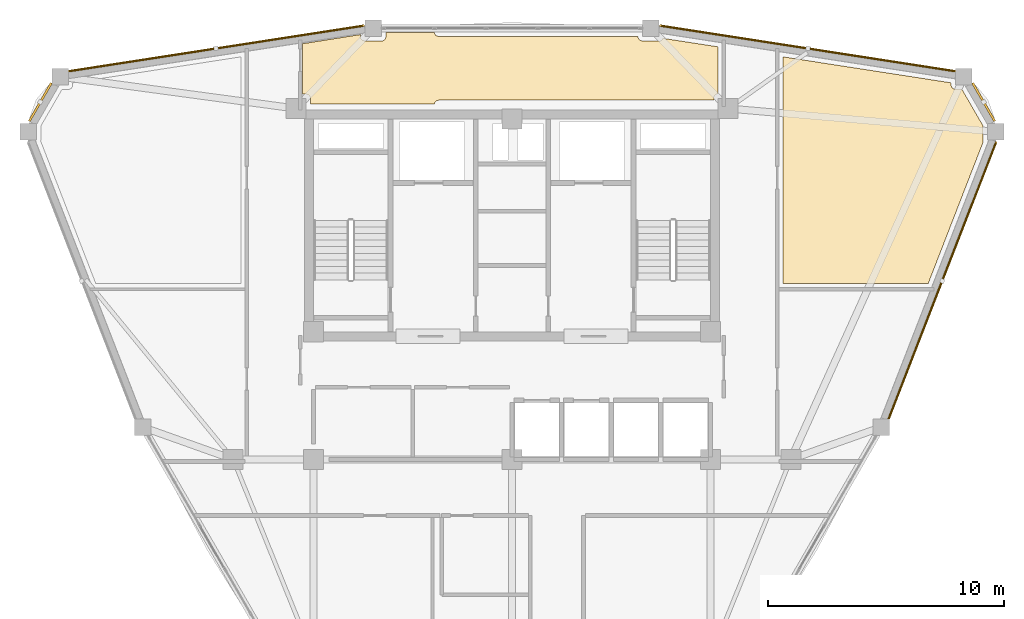
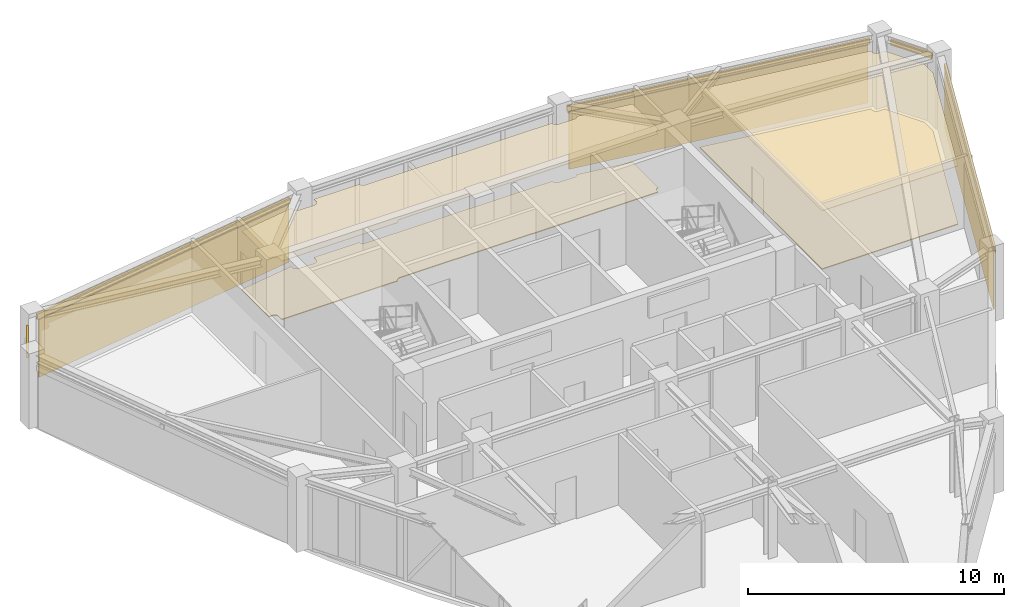
# One storey, part 15 of 15: 7 coverings, 5 shading devices.
"""IFC4 building model written with IfcOpenShell, lengths in metres."""

from ifc_helpers import new_model, si_unit, derived_unit, direction, frame, origin, origin_2d, place, context, subcontext, project, spatial, polyline, hollow_rectangle, outline, extrude, source, transform, mapped, material, layer, layer_set, material_profile, profile_set, type_object, element, save


model = new_model("IFC4")

# Units and contexts
model_context = context("Model", 3, precision=1e-05, world=origin(), true_north=direction((0.0, 1.0)))
body_context = subcontext(model_context, "Body", "Model", "MODEL_VIEW")
ifc_project = project(units=[si_unit("LENGTHUNIT", "METRE"), si_unit("AREAUNIT", "SQUARE_METRE"), si_unit("VOLUMEUNIT", "CUBIC_METRE"), si_unit("PLANEANGLEUNIT", "RADIAN"), si_unit("MASSUNIT", "GRAM", prefix="KILO"), derived_unit("THERMALTRANSMITTANCEUNIT", [(si_unit("POWERUNIT", "WATT"), 1), (si_unit("LENGTHUNIT", "METRE"), -2), (si_unit("THERMODYNAMICTEMPERATUREUNIT", "KELVIN"), -1)])], contexts=[model_context])

# Site, building, storey
site_placement = place(None, origin())
site = spatial("IfcSite", under=ifc_project, at=site_placement, CompositionType="ELEMENT")
building_placement = place(site_placement, origin())
building = spatial("IfcBuilding", under=site, at=building_placement, Name="Korsvarv Bourse and Concert Hall", CompositionType="ELEMENT")
storey_placement = place(building_placement, frame((0.0, 0.0, 264.60009765625)))
storey = spatial("IfcBuildingStorey", under=building, at=storey_placement, Name="L69", CompositionType="ELEMENT", Elevation=264.60009765625)

# Coverings
ifc_material_1 = material(Name="Perforated mineral-wool and birch acoustic baffle ceiling", Category="wood")
ifc_layer_1 = layer(ifc_material_1, 0.02490234375)
ifc_layer_set_1 = layer_set([ifc_layer_1], Name="Perforated mineral-wool and birch acoustic baffle ceiling")
covering_type_1 = type_object("IfcCoveringType", Name="COV-CEIL-1", PredefinedType="CEILING", material=ifc_layer_set_1)
covering_1_placement = place(storey_placement, frame((0.0, 0.0, 2.789794921875)))
element("IfcCovering", 1, at=covering_1_placement, inside=storey, type_object=covering_type_1, Name="L69 acoustic baffle ceiling 2", PredefinedType="CEILING", context=body_context, shape_type="SweptSolid", body=[
    extrude(outline(polyline([(54.587890625, 48.248046875), (54.59130859375, 48.21337890625), (54.601318359375, 48.18017578125), (54.617431640625, 48.1494140625), (54.63916015625, 48.122314453125), (54.66552734375, 48.10009765625), (54.69580078125, 48.0830078125), (54.72900390625, 48.072265625), (54.76318359375, 48.068115234375), (55.045654296875, 48.060791015625), (55.93408203125, 46.521484375), (55.93408203125, 45.916259765625), (55.9375, 45.88134765625), (55.947509765625, 45.848876953125), (53.61865234375, 39.85009765625), (47.47998046875, 39.85009765625), (47.47998046875, 49.435791015625), (54.587890625, 48.33740234375), (54.587890625, 48.248046875)])), origin(), (0.0, 0.0, 1.0), 0.025146484375),
])
covering_2_placement = place(storey_placement, frame((0.0, 0.0, 2.789794921875)))
element("IfcCovering", 2, at=covering_2_placement, inside=storey, type_object=covering_type_1, Name="L69 acoustic baffle ceiling 3", PredefinedType="CEILING", context=body_context, shape_type="SweptSolid", body=[
    extrude(outline(polyline([(29.590576171875, 50.381103515625), (29.590576171875, 50.296630859375), (29.593994140625, 50.261962890625), (29.60400390625, 50.228515625), (29.620361328125, 50.197509765625), (29.642333984375, 50.17041015625), (29.669189453125, 50.14794921875), (29.699951171875, 50.131103515625), (29.733154296875, 50.12060546875), (29.76806640625, 50.11669921875), (30.47802734375, 50.106689453125), (30.5126953125, 50.109619140625), (30.54638671875, 50.119140625), (30.57763671875, 50.135009765625), (30.60498046875, 50.15673828125), (30.6279296875, 50.183349609375), (30.64501953125, 50.2138671875), (30.656005859375, 50.2470703125), (30.660400390625, 50.28173828125), (30.66552734375, 50.466796875), (32.711181640625, 50.466796875), (32.7158203125, 50.44140625), (32.728515625, 50.407470703125), (32.747802734375, 50.37646484375), (32.772705078125, 50.35009765625), (32.802734375, 50.329345703125), (32.836181640625, 50.31494140625), (32.871826171875, 50.3076171875), (41.32958984375, 50.306640625), (41.330322265625, 50.279296875), (41.337158203125, 50.244873046875), (41.350341796875, 50.21240234375), (41.36962890625, 50.183349609375), (41.394287109375, 50.158447265625), (41.423095703125, 50.138916015625), (41.455322265625, 50.125), (41.489501953125, 50.117919921875), (42.217041015625, 50.106689453125), (42.253173828125, 50.10986328125), (42.287841796875, 50.1201171875), (42.31982421875, 50.13720703125), (42.347900390625, 50.160400390625), (42.37060546875, 50.188720703125), (42.38720703125, 50.22119140625), (44.7099609375, 49.86376953125), (44.7099609375, 47.8642578125), (44.674072265625, 47.857666015625), (44.64208984375, 47.8447265625), (44.613037109375, 47.825927734375), (44.58837890625, 47.802001953125), (44.568603515625, 47.77392578125), (44.554443359375, 47.742431640625), (44.546630859375, 47.708984375), (44.541748046875, 47.60009765625), (32.889892578125, 47.60009765625), (32.853759765625, 47.59619140625), (32.819091796875, 47.58544921875), (32.787109375, 47.567626953125), (32.759521484375, 47.5439453125), (32.7373046875, 47.51513671875), (32.72119140625, 47.482421875), (32.712158203125, 47.447265625), (27.465087890625, 47.43994140625), (27.465087890625, 47.675048828125), (27.461669921875, 47.70947265625), (27.451904296875, 47.74267578125), (27.435791015625, 47.773193359375), (27.414306640625, 47.80029296875), (27.3876953125, 47.82275390625), (27.357666015625, 47.839599609375), (27.32470703125, 47.8505859375), (27.290283203125, 47.85498046875), (27.1298828125, 47.859619140625), (27.1298828125, 49.9912109375), (29.590576171875, 50.381103515625)])), origin(), (0.0, 0.0, 1.0), 0.025146484375),
])
ifc_material_2 = material(Name="Warm iron-oxide extruded terracotta rainscreen tile", Category="ceramic")
ifc_layer_2 = layer(ifc_material_2, 0.044921875)
ifc_layer_set_2 = layer_set([ifc_layer_2], Name="Warm iron-oxide extruded terracotta rainscreen tile")
covering_type_2 = type_object("IfcCoveringType", Name="COV-CLD-TC", PredefinedType="CLADDING", material=ifc_layer_set_2)
covering_3_placement = place(storey_placement, origin())
element("IfcCovering", 3, at=covering_3_placement, inside=storey, type_object=covering_type_2, Name="L69 fluted terracotta cladding panel EW-L69-B02", PredefinedType="CLADDING", context=body_context, shape_type="SweptSolid", body=[
    extrude(outline(polyline([(54.714599609375, 48.798583984375), (42.32421875, 50.712890625), (42.3310546875, 50.757568359375), (54.721435546875, 48.843017578125), (54.714599609375, 48.798583984375)])), origin(), (0.0, 0.0, 1.0), 2.760009765625),
])
covering_4_placement = place(storey_placement, origin())
element("IfcCovering", 4, at=covering_4_placement, inside=storey, type_object=covering_type_2, Name="L69 fluted terracotta cladding panel EW-L69-B04", PredefinedType="CLADDING", context=body_context, shape_type="SweptSolid", body=[
    extrude(outline(polyline([(29.67578125, 50.712890625), (17.285400390625, 48.798583984375), (17.278564453125, 48.843017578125), (29.6689453125, 50.757568359375), (29.67578125, 50.712890625)])), origin(), (0.0, 0.0, 1.0), 2.760009765625),
])
covering_5_placement = place(storey_placement, origin())
element("IfcCovering", 5, at=covering_5_placement, inside=storey, type_object=covering_type_2, Name="L69 fluted terracotta cladding panel EW-L69-B12", PredefinedType="CLADDING", context=body_context, shape_type="SweptSolid", body=[
    extrude(outline(polyline([(51.911865234375, 34.140380859375), (56.433349609375, 45.787841796875), (56.47509765625, 45.771484375), (51.953857421875, 34.124267578125), (51.911865234375, 34.140380859375)])), origin(), (0.0, 0.0, 1.0), 2.760009765625),
])
ifc_material_3 = material(Name="Calcium-sulphate raised access trading floor with Nordic oak top", Category="wood")
ifc_layer_3 = layer(ifc_material_3, 0.0400390625)
ifc_layer_set_3 = layer_set([ifc_layer_3], Name="Calcium-sulphate raised access trading floor with Nordic oak top")
covering_type_3 = type_object("IfcCoveringType", Name="COV-FLOR-1", PredefinedType="FLOORING", material=ifc_layer_set_3)
covering_6_placement = place(storey_placement, origin())
element("IfcCovering", 6, at=covering_6_placement, inside=storey, type_object=covering_type_3, Name="L69 raised access oak floor finish 2", PredefinedType="FLOORING", context=body_context, shape_type="SweptSolid", body=[
    extrude(outline(polyline([(54.587890625, 48.248046875), (54.59130859375, 48.21337890625), (54.601318359375, 48.18017578125), (54.617431640625, 48.1494140625), (54.63916015625, 48.122314453125), (54.66552734375, 48.10009765625), (54.69580078125, 48.0830078125), (54.72900390625, 48.072265625), (54.76318359375, 48.068115234375), (55.045654296875, 48.060791015625), (55.93408203125, 46.521484375), (55.93408203125, 45.916259765625), (55.9375, 45.88134765625), (55.947509765625, 45.848876953125), (53.61865234375, 39.85009765625), (47.47998046875, 39.85009765625), (47.47998046875, 49.435791015625), (54.587890625, 48.33740234375), (54.587890625, 48.248046875)])), origin(), (0.0, 0.0, 1.0), 0.039794921875),
])
covering_7_placement = place(storey_placement, origin())
element("IfcCovering", 7, at=covering_7_placement, inside=storey, type_object=covering_type_3, Name="L69 raised access oak floor finish 3", PredefinedType="FLOORING", context=body_context, shape_type="SweptSolid", body=[
    extrude(outline(polyline([(29.590576171875, 50.381103515625), (29.590576171875, 50.296630859375), (29.593994140625, 50.261962890625), (29.60400390625, 50.228515625), (29.620361328125, 50.197509765625), (29.642333984375, 50.17041015625), (29.669189453125, 50.14794921875), (29.699951171875, 50.131103515625), (29.733154296875, 50.12060546875), (29.76806640625, 50.11669921875), (30.47802734375, 50.106689453125), (30.5126953125, 50.109619140625), (30.54638671875, 50.119140625), (30.57763671875, 50.135009765625), (30.60498046875, 50.15673828125), (30.6279296875, 50.183349609375), (30.64501953125, 50.2138671875), (30.656005859375, 50.2470703125), (30.660400390625, 50.28173828125), (30.66552734375, 50.466796875), (32.711181640625, 50.466796875), (32.7158203125, 50.44140625), (32.728515625, 50.407470703125), (32.747802734375, 50.37646484375), (32.772705078125, 50.35009765625), (32.802734375, 50.329345703125), (32.836181640625, 50.31494140625), (32.871826171875, 50.3076171875), (41.32958984375, 50.306640625), (41.330322265625, 50.279296875), (41.337158203125, 50.244873046875), (41.350341796875, 50.21240234375), (41.36962890625, 50.183349609375), (41.394287109375, 50.158447265625), (41.423095703125, 50.138916015625), (41.455322265625, 50.125), (41.489501953125, 50.117919921875), (42.217041015625, 50.106689453125), (42.253173828125, 50.10986328125), (42.287841796875, 50.1201171875), (42.31982421875, 50.13720703125), (42.347900390625, 50.160400390625), (42.37060546875, 50.188720703125), (42.38720703125, 50.22119140625), (44.7099609375, 49.86376953125), (44.7099609375, 47.8642578125), (44.674072265625, 47.857666015625), (44.64208984375, 47.8447265625), (44.613037109375, 47.825927734375), (44.58837890625, 47.802001953125), (44.568603515625, 47.77392578125), (44.554443359375, 47.742431640625), (44.546630859375, 47.708984375), (44.541748046875, 47.60009765625), (32.889892578125, 47.60009765625), (32.853759765625, 47.59619140625), (32.819091796875, 47.58544921875), (32.787109375, 47.567626953125), (32.759521484375, 47.5439453125), (32.7373046875, 47.51513671875), (32.72119140625, 47.482421875), (32.712158203125, 47.447265625), (27.465087890625, 47.43994140625), (27.465087890625, 47.675048828125), (27.461669921875, 47.70947265625), (27.451904296875, 47.74267578125), (27.435791015625, 47.773193359375), (27.414306640625, 47.80029296875), (27.3876953125, 47.82275390625), (27.357666015625, 47.839599609375), (27.32470703125, 47.8505859375), (27.290283203125, 47.85498046875), (27.1298828125, 47.859619140625), (27.1298828125, 49.9912109375), (29.590576171875, 50.381103515625)])), origin(), (0.0, 0.0, 1.0), 0.039794921875),
])

# Shading devices
ifc_material_4 = material(Name="Glazed extruded architectural terracotta", Category="ceramic")
ifc_material_profile = material_profile(ifc_material_4, hollow_rectangle(XDim=0.090087890625, YDim=0.260009765625, WallThickness=0.011962890625, at=origin_2d()), Name="TC-BAG 90x260")
ifc_profile_set = profile_set([ifc_material_profile], Name="Glazed extruded architectural terracotta")
shading_device_type = type_object("IfcShadingDeviceType", Name="SHD-BAG-1", PredefinedType="USERDEFINED", material=ifc_profile_set)
shared_shape_1 = source(origin(), body_context, "Body", "SweptSolid", [
    extrude(hollow_rectangle(XDim=0.090087890625, YDim=0.260009765625, WallThickness=0.011962890625, at=origin_2d()), origin(), (0.0, 0.0, 1.0), 1.87255859375),
])
for number, where, z_axis, x_axis, name in (
    (8, (56.429443359375, 46.7138671875, 2.919921875), (-0.500023421257, 0.866011881093, 0.0), (-0.866011881093, -0.500023421257, 0.0), "L69 terracotta baguette sunshade EW-L69-B01"),
    (9, (16.5068359375, 48.33544921875, 2.919921875), (-0.500023421257, -0.866011881093, 0.0), (0.866011881093, -0.500023421257, 0.0), "L69 terracotta baguette sunshade EW-L69-B05"),
):
    element("IfcShadingDevice", number, at=place(storey_placement, frame(where, z_axis=z_axis, x_axis=x_axis)), inside=storey, type_object=shading_device_type, Name=name, ObjectType="BAGUETTE", PredefinedType="USERDEFINED", context=body_context, shape_type="MappedRepresentation", body=[
        mapped(shared_shape_1, transform((0.0, 0.0, 0.0), scale=1.0)),
    ])
shared_shape_2 = source(origin(), body_context, "Body", "SweptSolid", [
    extrude(hollow_rectangle(XDim=0.090087890625, YDim=0.260009765625, WallThickness=0.011962890625, at=origin_2d()), origin(), (0.0, 0.0, 1.0), 12.697509765625),
])
for number, where, z_axis, x_axis, name in (
    (10, (54.7998046875, 48.82568359375, 2.919921875), (-0.988271903044, 0.15270443888, 0.0), (-0.15270443888, -0.988271903044, 0.0), "L69 terracotta baguette sunshade EW-L69-B02"),
    (11, (29.748779296875, 50.7646484375, 2.919921875), (-0.988271903044, -0.15270443888, 0.0), (0.15270443888, -0.988271903044, 0.0), "L69 terracotta baguette sunshade EW-L69-B04"),
):
    element("IfcShadingDevice", number, at=place(storey_placement, frame(where, z_axis=z_axis, x_axis=x_axis)), inside=storey, type_object=shading_device_type, Name=name, ObjectType="BAGUETTE", PredefinedType="USERDEFINED", context=body_context, shape_type="MappedRepresentation", body=[
        mapped(shared_shape_2, transform((0.0, 0.0, 0.0), scale=1.0)),
    ])
shared_shape_3 = source(origin(), body_context, "Body", "SweptSolid", [
    extrude(hollow_rectangle(XDim=0.090087890625, YDim=0.260009765625, WallThickness=0.011962890625, at=origin_2d()), origin(), (0.0, 0.0, 1.0), 12.654052734375),
])
shading_device_placement = place(storey_placement, frame((51.920166015625, 34.051513671875, 2.919921875), z_axis=(0.361887564825, 0.932221749599, 0.0), x_axis=(-0.932221749599, 0.361887564825, 0.0)))
element("IfcShadingDevice", 12, at=shading_device_placement, inside=storey, type_object=shading_device_type, Name="L69 terracotta baguette sunshade EW-L69-B12", ObjectType="BAGUETTE", PredefinedType="USERDEFINED", context=body_context, shape_type="MappedRepresentation", body=[
    mapped(shared_shape_3, transform((0.0, 0.0, 0.0), scale=1.0)),
])

save(model, "model.ifc")
